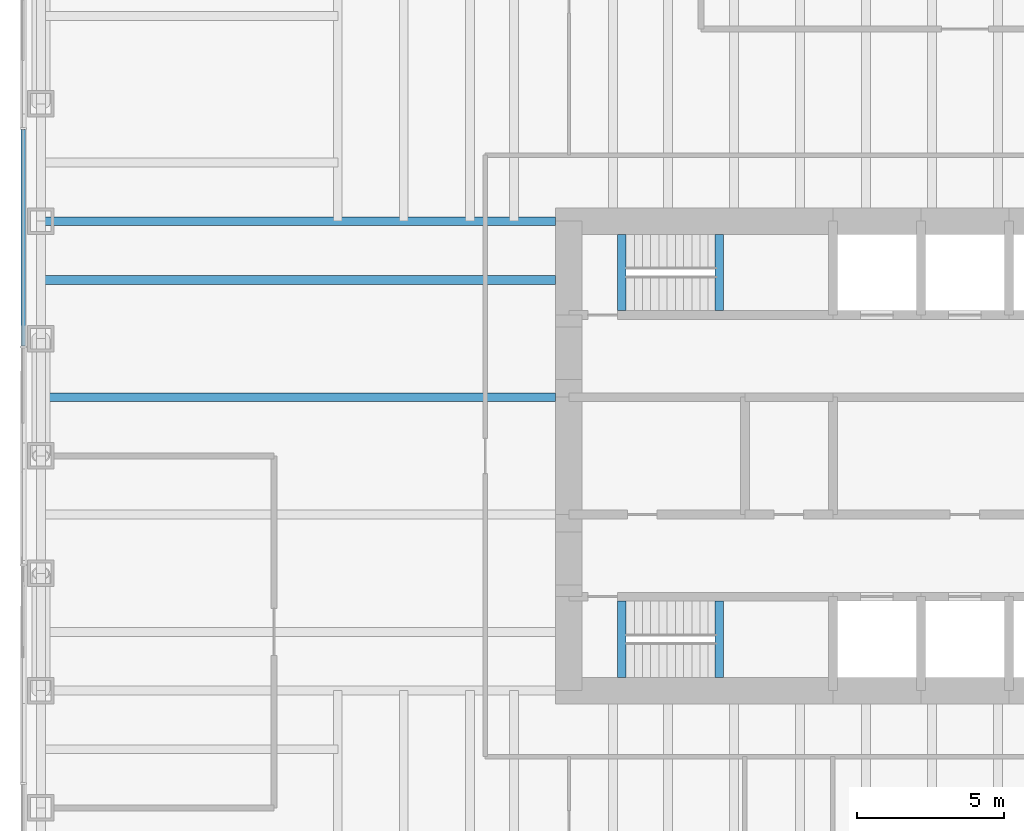
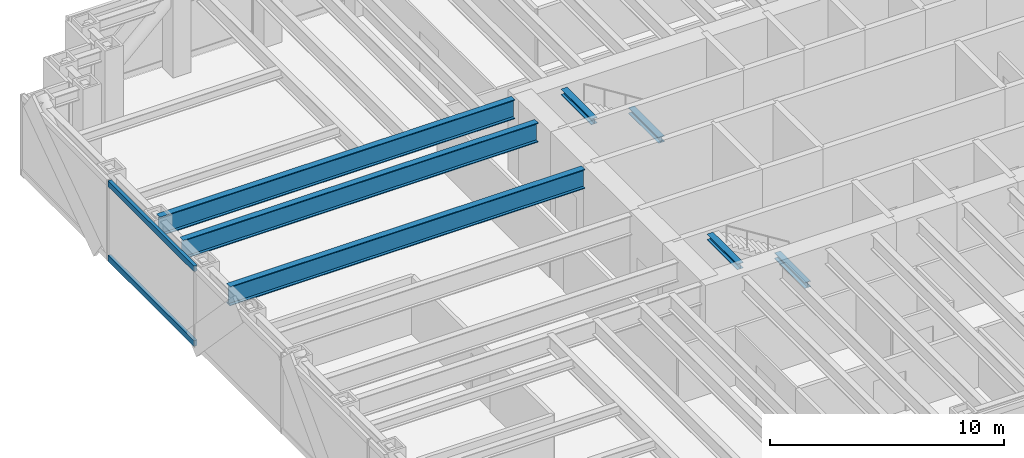
# One storey, part 3 of 15: 7 beams, 2 members, 1 element without a shape of its own.
"""IFC4 building model written with IfcOpenShell, lengths in metres."""

from ifc_helpers import new_model, si_unit, direction, frame, origin, origin_2d, place, context, subcontext, project, spatial, rectangle, i_section, extrude, material, material_profile, profile_set, type_object, element, aggregate, save


model = new_model("IFC4")

# Units and contexts
model_context = context("Model", 3, precision=1e-05, world=origin(), true_north=direction((0.0, 1.0)))
body_context = subcontext(model_context, "Body", "Model", "MODEL_VIEW")
ifc_project = project(units=[si_unit("LENGTHUNIT", "METRE"), si_unit("AREAUNIT", "SQUARE_METRE"), si_unit("VOLUMEUNIT", "CUBIC_METRE"), si_unit("PLANEANGLEUNIT", "RADIAN"), si_unit("MASSUNIT", "GRAM", prefix="KILO")], contexts=[model_context])

# Site, building, storey
site_placement = place(None, origin())
site = spatial("IfcSite", under=ifc_project, at=site_placement, CompositionType="ELEMENT")
building_placement = place(site_placement, origin())
building = spatial("IfcBuilding", under=site, at=building_placement, Name="Rheinbord Bourse Tower", CompositionType="ELEMENT")
storey_placement = place(building_placement, frame((0.0, 0.0, 155.10009765625)))
storey = spatial("IfcBuildingStorey", under=building, at=storey_placement, Name="L34", CompositionType="ELEMENT", Elevation=155.10009765625)

# Curtain wall, members
ifc_material_1 = material(Name="Dark glass and black aluminium", Category="aluminium")
curtain_wall_type = type_object("IfcCurtainWallType", Name="CW2 DARK GLASS CURTAIN WALL", PredefinedType="USERDEFINED", material=ifc_material_1)
curtain_wall_placement = place(storey_placement, origin())
curtain_wall = element("IfcCurtainWall", 1, at=curtain_wall_placement, inside=storey, type_object=curtain_wall_type, Name="Curtain wall CW2 W L34", ObjectType="UNITISED CURTAIN WALL", PredefinedType="USERDEFINED")
ifc_material_2 = material(Name="Black anodised aluminium", Category="aluminium")
ifc_material_profile_1 = material_profile(ifc_material_2, rectangle(XDim=0.159912109375, YDim=0.300048828125, at=origin_2d()), Name="CW2 TRANSOM 300x160")
ifc_profile_set_1 = profile_set([ifc_material_profile_1], Name="Black anodised aluminium")
member_type = type_object("IfcMemberType", Name="CW2 BLACK TRANSOM", PredefinedType="USERDEFINED", material=ifc_profile_set_1)
member_1_placement = place(storey_placement, frame((-0.60009765625, 35.125, 0.14990234375), z_axis=(0.0, -1.0, 0.0), x_axis=(1.0, 0.0, 0.0)))
member_1 = element("IfcMember", 2, at=member_1_placement, type_object=member_type, Name="CW2 transom 2.1", ObjectType="TRANSOM", PredefinedType="USERDEFINED", context=body_context, shape_type="SweptSolid", body=[
    extrude(rectangle(XDim=0.159912109375, YDim=0.300048828125, at=origin_2d()), origin(), (0.0, 0.0, 1.0), 7.3701171875),
])
member_2_placement = place(storey_placement, frame((-0.60009765625, 35.125, 4.0498046875), z_axis=(0.0, -1.0, 0.0), x_axis=(1.0, 0.0, 0.0)))
member_2 = element("IfcMember", 3, at=member_2_placement, type_object=member_type, Name="CW2 transom 2.2", ObjectType="TRANSOM", PredefinedType="USERDEFINED", context=body_context, shape_type="SweptSolid", body=[
    extrude(rectangle(XDim=0.159912109375, YDim=0.300048828125, at=origin_2d()), origin(), (0.0, 0.0, 1.0), 7.3701171875),
])
aggregate(curtain_wall, [member_1, member_2])

# Beams
ifc_material_3 = material(Name="Steel S460", Category="steel")
ifc_material_profile_2 = material_profile(ifc_material_3, i_section(OverallWidth=0.302001953125, OverallDepth=1.008056640625, WebThickness=0.02099609375, FlangeThickness=0.0400390625, at=origin_2d()), Name="HEM 1000")
ifc_profile_set_2 = profile_set([ifc_material_profile_2], Name="Steel S460")
beam_type_1 = type_object("IfcBeamType", Name="END BEAM HEM 1000", PredefinedType="BEAM", material=ifc_profile_set_2)
for number, where, z_axis, x_axis, name in (
    (4, (0.0, 26.0, 3.535888671875), (1.0, 0.0, 0.0), (0.0, 1.0, 0.0), "End beam west 26 L35"),
    (5, (0.0, 30.0, 3.535888671875), (1.0, 0.0, 0.0), (0.0, 1.0, 0.0), "End beam west 30 L35"),
):
    element("IfcBeam", number, at=place(storey_placement, frame(where, z_axis=z_axis, x_axis=x_axis)), inside=storey, type_object=beam_type_1, Name=name, PredefinedType="BEAM", context=body_context, shape_type="SweptSolid", body=[
        extrude(i_section(OverallWidth=0.302001953125, OverallDepth=1.008056640625, WebThickness=0.02099609375, FlangeThickness=0.0400390625, at=origin_2d()), origin(), (0.0, 0.0, 1.0), 17.550048828125),
    ])
ifc_material_4 = material(Name="Steel S460", Category="steel")
ifc_material_profile_3 = material_profile(ifc_material_4, i_section(OverallWidth=0.302001953125, OverallDepth=1.008056640625, WebThickness=0.02099609375, FlangeThickness=0.0400390625, at=origin_2d()), Name="HEM 1000")
ifc_profile_set_3 = profile_set([ifc_material_profile_3], Name="Steel S460")
beam_type_2 = type_object("IfcBeamType", Name="GIRDER HEM 1000", PredefinedType="BEAM", material=ifc_profile_set_3)
beam_placement = place(storey_placement, frame((0.0, 32.0, 3.535888671875), z_axis=(1.0, 0.0, 0.0), x_axis=(0.0, 1.0, 0.0)))
element("IfcBeam", 6, at=beam_placement, inside=storey, type_object=beam_type_2, Name="Girder west 32 L35", PredefinedType="BEAM", context=body_context, shape_type="SweptSolid", body=[
    extrude(i_section(OverallWidth=0.302001953125, OverallDepth=1.008056640625, WebThickness=0.02099609375, FlangeThickness=0.0400390625, at=origin_2d()), origin(), (0.0, 0.0, 1.0), 17.550048828125),
])
ifc_material_5 = material(Name="Steel S460", Category="steel")
ifc_material_profile_4 = material_profile(ifc_material_5, i_section(OverallWidth=0.300048828125, OverallDepth=0.300048828125, WebThickness=0.010986328125, FlangeThickness=0.01904296875, at=origin_2d()), Name="HEB 300")
ifc_profile_set_4 = profile_set([ifc_material_profile_4], Name="Steel S460")
beam_type_3 = type_object("IfcBeamType", Name="LANDING TRIMMER HEB 300", PredefinedType="BEAM", material=ifc_profile_set_4)
for number, where, z_axis, x_axis, name in (
    (7, (23.1298828125, 16.449951171875, 1.75), (0.0, 1.0, 0.0), (-1.0, 0.0, 0.0), "Landing trimmer ST1 L34"),
    (8, (19.800048828125, 16.449951171875, 3.889892578125), (0.0, 1.0, 0.0), (-1.0, 0.0, 0.0), "Well trimmer ST1 under L35"),
    (9, (23.1298828125, 28.949951171875, 1.75), (0.0, 1.0, 0.0), (-1.0, 0.0, 0.0), "Landing trimmer ST2 L34"),
    (10, (19.800048828125, 28.949951171875, 3.889892578125), (0.0, 1.0, 0.0), (-1.0, 0.0, 0.0), "Well trimmer ST2 under L35"),
):
    element("IfcBeam", number, at=place(storey_placement, frame(where, z_axis=z_axis, x_axis=x_axis)), inside=storey, type_object=beam_type_3, Name=name, PredefinedType="BEAM", context=body_context, shape_type="SweptSolid", body=[
        extrude(i_section(OverallWidth=0.300048828125, OverallDepth=0.300048828125, WebThickness=0.010986328125, FlangeThickness=0.01904296875, at=origin_2d()), origin(), (0.0, 0.0, 1.0), 2.60009765625),
    ])

save(model, "model.ifc")
